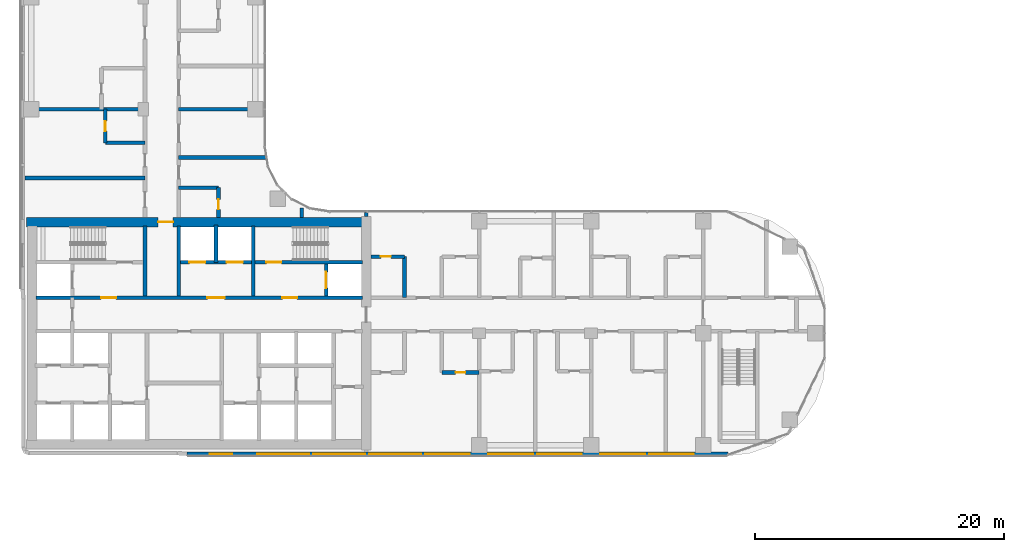
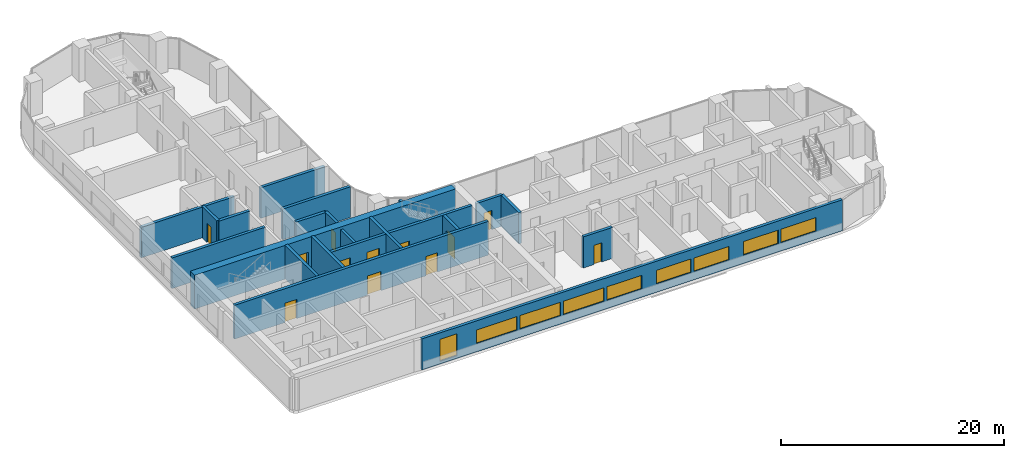
# One storey, part 18 of 35: 22 walls, 12 doors, 9 windows, 21 openings.
"""IFC4 building model written with IfcOpenShell, lengths in metres."""

from ifc_helpers import new_model, si_unit, direction, frame, frame_2d, origin, place, context, subcontext, project, spatial, rectangle, extrude, material, layer, layer_set, type_object, element, fill, save


model = new_model("IFC4")

# Units and contexts
model_context = context("Model", 3, precision=1e-05, world=origin(), true_north=direction((0.0, 1.0)))
body_context = subcontext(model_context, "Body", "Model", "MODEL_VIEW")
ifc_project = project(units=[si_unit("LENGTHUNIT", "METRE"), si_unit("AREAUNIT", "SQUARE_METRE"), si_unit("VOLUMEUNIT", "CUBIC_METRE"), si_unit("PLANEANGLEUNIT", "RADIAN"), si_unit("MASSUNIT", "GRAM", prefix="KILO")], contexts=[model_context])

# Site, building, storey
site_placement = place(None, origin())
site = spatial("IfcSite", under=ifc_project, at=site_placement, CompositionType="ELEMENT")
building_placement = place(site_placement, origin())
building = spatial("IfcBuilding", under=site, at=building_placement, Name="Ogive Portal Towers", CompositionType="ELEMENT")
storey_placement = place(building_placement, frame((0.0, 0.0, 94.5)))
storey = spatial("IfcBuildingStorey", under=building, at=storey_placement, Name="L22", CompositionType="ELEMENT", Elevation=94.5)

# Wall, openings, doors
ifc_material_1 = material(Name="Concrete C60/75", Category="concrete")
ifc_layer_1 = layer(ifc_material_1, 0.300048828125)
ifc_layer_set_1 = layer_set([ifc_layer_1], Name="CORE WALL 300 C60")
wall_type_1 = type_object("IfcWallType", Name="CORE WALL 300 C60", PredefinedType="SHEAR", material=ifc_layer_set_1)
wall_1_placement = place(storey_placement, frame((31.875, 33.35009765625, 0.0), z_axis=(0.0, 0.0, 1.0), x_axis=(1.0, 0.0, 0.0)))
wall_1 = element("IfcWall", 1, at=wall_1_placement, inside=storey, type_object=wall_type_1, Name="Core wall Y2 L22", PredefinedType="SHEAR", context=body_context, shape_type="SweptSolid", body=[
    extrude(rectangle(XDim=26.25, YDim=0.300048828125, at=frame_2d((13.125, 0.0))), origin(), (0.0, 0.0, 1.0), 3.699951171875),
])
opening_1_placement = place(wall_1_placement, frame((13.77490234375, 0.0, 0.0)))
opening_1 = element("IfcOpeningElement", 2, at=opening_1_placement, cuts=wall_1, Name="Opening D07-002", PredefinedType="OPENING", context=body_context, shape_type="SweptSolid", body=[
    extrude(rectangle(XDim=1.39990234375, YDim=2.10009765625, at=frame_2d((0.699951171875, 1.050048828125))), frame((0.0, 0.16015625, 0.0), z_axis=(0.0, -1.0, 0.0), x_axis=(1.0, 0.0, 0.0)), (0.0, 0.0, 1.0), 0.320068359375),
])
opening_2_placement = place(wall_1_placement, frame((5.25, 0.0, 0.0)))
opening_2 = element("IfcOpeningElement", 3, at=opening_2_placement, cuts=wall_1, Name="Opening D07-003", PredefinedType="OPENING", context=body_context, shape_type="SweptSolid", body=[
    extrude(rectangle(XDim=1.199951171875, YDim=2.10009765625, at=frame_2d((0.60009765625, 1.050048828125))), frame((0.0, 0.16015625, 0.0), z_axis=(0.0, -1.0, 0.0), x_axis=(1.0, 0.0, 0.0)), (0.0, 0.0, 1.0), 0.320068359375),
])
opening_3_placement = place(wall_1_placement, frame((19.800048828125, 0.0, 0.0)))
opening_3 = element("IfcOpeningElement", 4, at=opening_3_placement, cuts=wall_1, Name="Opening D07-004", PredefinedType="OPENING", context=body_context, shape_type="SweptSolid", body=[
    extrude(rectangle(XDim=1.199951171875, YDim=2.10009765625, at=frame_2d((0.60009765625, 1.050048828125))), frame((0.0, 0.16015625, 0.0), z_axis=(0.0, -1.0, 0.0), x_axis=(1.0, 0.0, 0.0)), (0.0, 0.0, 1.0), 0.320068359375),
])
ifc_material_2 = material(Name="Steel fire door", Category="steel")
door_type_1 = type_object("IfcDoorType", Name="DT-SWING-1200x2100-FD90S", OperationType="SINGLE_SWING_LEFT", PredefinedType="DOOR", material=ifc_material_2)
door_1_placement = place(opening_2_placement, origin())
door_1 = element("IfcDoor", 5, at=door_1_placement, inside=storey, type_object=door_type_1, Name="Door D07-003", OperationType="SINGLE_SWING_LEFT", OverallHeight=2.10009765625, OverallWidth=1.199951171875, PredefinedType="DOOR", context=body_context, shape_type="SweptSolid", body=[
    extrude(rectangle(XDim=1.199951171875, YDim=2.10009765625, at=frame_2d((0.60009765625, 1.050048828125))), frame((0.0, 0.02490234375, 0.0), z_axis=(0.0, -1.0, 0.0), x_axis=(1.0, 0.0, 0.0)), (0.0, 0.0, 1.0), 0.050048828125),
])
fill(opening_2, door_1)
door_2_placement = place(opening_3_placement, origin())
door_2 = element("IfcDoor", 6, at=door_2_placement, inside=storey, type_object=door_type_1, Name="Door D07-004", OperationType="SINGLE_SWING_RIGHT", OverallHeight=2.10009765625, OverallWidth=1.199951171875, PredefinedType="DOOR", context=body_context, shape_type="SweptSolid", body=[
    extrude(rectangle(XDim=1.199951171875, YDim=2.10009765625, at=frame_2d((0.60009765625, 1.050048828125))), frame((0.0, 0.02490234375, 0.0), z_axis=(0.0, -1.0, 0.0), x_axis=(1.0, 0.0, 0.0)), (0.0, 0.0, 1.0), 0.050048828125),
])
fill(opening_3, door_2)
door_type_2 = type_object("IfcDoorType", Name="DT-SWING-1400x2100-FD90S", OperationType="SINGLE_SWING_LEFT", PredefinedType="DOOR", material=ifc_material_2)
door_3_placement = place(opening_1_placement, origin())
door_3 = element("IfcDoor", 7, at=door_3_placement, inside=storey, type_object=door_type_2, Name="Door D07-002", OperationType="SINGLE_SWING_RIGHT", OverallHeight=2.10009765625, OverallWidth=1.39990234375, PredefinedType="DOOR", context=body_context, shape_type="SweptSolid", body=[
    extrude(rectangle(XDim=1.39990234375, YDim=2.10009765625, at=frame_2d((0.699951171875, 1.050048828125))), frame((0.0, 0.02490234375, 0.0), z_axis=(0.0, -1.0, 0.0), x_axis=(1.0, 0.0, 0.0)), (0.0, 0.0, 1.0), 0.050048828125),
])
fill(opening_1, door_3)

wall_2_placement = place(storey_placement, frame((43.5, 36.199951171875, 0.0), z_axis=(0.0, 0.0, 1.0), x_axis=(1.0, 0.0, 0.0)))
wall_2 = element("IfcWall", 8, at=wall_2_placement, inside=storey, type_object=wall_type_1, Name="Core wall Y3b L22", PredefinedType="SHEAR", context=body_context, shape_type="SweptSolid", body=[
    extrude(rectangle(XDim=14.625, YDim=0.300048828125, at=frame_2d((7.3125, 0.0))), origin(), (0.0, 0.0, 1.0), 3.699951171875),
])
opening_4_placement = place(wall_2_placement, frame((6.89990234375, 0.0, 0.0)))
opening_4 = element("IfcOpeningElement", 9, at=opening_4_placement, cuts=wall_2, Name="Opening D07-006", PredefinedType="OPENING", context=body_context, shape_type="SweptSolid", body=[
    extrude(rectangle(XDim=1.199951171875, YDim=2.10009765625, at=frame_2d((0.60009765625, 1.050048828125))), frame((0.0, 0.16015625, 0.0), z_axis=(0.0, -1.0, 0.0), x_axis=(1.0, 0.0, 0.0)), (0.0, 0.0, 1.0), 0.320068359375),
])
opening_5_placement = place(wall_2_placement, frame((0.699951171875, 0.0, 0.0)))
opening_5 = element("IfcOpeningElement", 10, at=opening_5_placement, cuts=wall_2, Name="Opening D07-017", PredefinedType="OPENING", context=body_context, shape_type="SweptSolid", body=[
    extrude(rectangle(XDim=1.300048828125, YDim=2.39990234375, at=frame_2d((0.64990234375, 1.199951171875))), frame((0.0, 0.16015625, 0.0), z_axis=(0.0, -1.0, 0.0), x_axis=(1.0, 0.0, 0.0)), (0.0, 0.0, 1.0), 0.320068359375),
])
opening_6_placement = place(wall_2_placement, frame((3.699951171875, 0.0, 0.0)))
opening_6 = element("IfcOpeningElement", 11, at=opening_6_placement, cuts=wall_2, Name="Opening D07-018", PredefinedType="OPENING", context=body_context, shape_type="SweptSolid", body=[
    extrude(rectangle(XDim=1.300048828125, YDim=2.39990234375, at=frame_2d((0.64990234375, 1.199951171875))), frame((0.0, 0.16015625, 0.0), z_axis=(0.0, -1.0, 0.0), x_axis=(1.0, 0.0, 0.0)), (0.0, 0.0, 1.0), 0.320068359375),
])
ifc_material_3 = material(Name="Stainless steel", Category="steel")
door_type_3 = type_object("IfcDoorType", Name="DT-LD-1300x2400", OperationType="SLIDING_TO_LEFT", PredefinedType="DOOR", material=ifc_material_3)
door_4_placement = place(opening_5_placement, origin())
door_4 = element("IfcDoor", 12, at=door_4_placement, inside=storey, type_object=door_type_3, Name="Door D07-017", OperationType="SLIDING_TO_LEFT", OverallHeight=2.39990234375, OverallWidth=1.300048828125, PredefinedType="DOOR", context=body_context, shape_type="SweptSolid", body=[
    extrude(rectangle(XDim=1.300048828125, YDim=2.39990234375, at=frame_2d((0.64990234375, 1.199951171875))), frame((0.0, 0.02490234375, 0.0), z_axis=(0.0, -1.0, 0.0), x_axis=(1.0, 0.0, 0.0)), (0.0, 0.0, 1.0), 0.050048828125),
])
fill(opening_5, door_4)
door_5_placement = place(opening_6_placement, origin())
door_5 = element("IfcDoor", 13, at=door_5_placement, inside=storey, type_object=door_type_3, Name="Door D07-018", OperationType="SLIDING_TO_LEFT", OverallHeight=2.39990234375, OverallWidth=1.300048828125, PredefinedType="DOOR", context=body_context, shape_type="SweptSolid", body=[
    extrude(rectangle(XDim=1.300048828125, YDim=2.39990234375, at=frame_2d((0.64990234375, 1.199951171875))), frame((0.0, 0.02490234375, 0.0), z_axis=(0.0, -1.0, 0.0), x_axis=(1.0, 0.0, 0.0)), (0.0, 0.0, 1.0), 0.050048828125),
])
fill(opening_6, door_5)
door_6_placement = place(opening_4_placement, origin())
door_6 = element("IfcDoor", 14, at=door_6_placement, inside=storey, type_object=door_type_1, Name="Door D07-006", OperationType="SINGLE_SWING_LEFT", OverallHeight=2.10009765625, OverallWidth=1.199951171875, PredefinedType="DOOR", context=body_context, shape_type="SweptSolid", body=[
    extrude(rectangle(XDim=1.199951171875, YDim=2.10009765625, at=frame_2d((0.60009765625, 1.050048828125))), frame((0.0, 0.02490234375, 0.0), z_axis=(0.0, -1.0, 0.0), x_axis=(1.0, 0.0, 0.0)), (0.0, 0.0, 1.0), 0.050048828125),
])
fill(opening_4, door_6)

# Walls
for number, where, z_axis, x_axis, name in (
    (15, (40.64990234375, 33.5, 0.0), (0.0, 0.0, 1.0), (0.0, 1.0, 0.0), "Core wall X6 L22"),
    (16, (43.35009765625, 33.5, 0.0), (0.0, 0.0, 1.0), (0.0, 1.0, 0.0), "Core wall X7 L22"),
    (17, (49.35009765625, 33.5, 0.0), (0.0, 0.0, 1.0), (0.0, 1.0, 0.0), "Core wall X9 L22"),
):
    element("IfcWall", number, at=place(storey_placement, frame(where, z_axis=z_axis, x_axis=x_axis)), inside=storey, type_object=wall_type_1, Name=name, PredefinedType="SHEAR", context=body_context, shape_type="SweptSolid", body=[
        extrude(rectangle(XDim=5.625, YDim=0.300048828125, at=frame_2d((2.8125, 0.0))), origin(), (0.0, 0.0, 1.0), 3.699951171875),
    ])

# Wall, opening, door
wall_3_placement = place(storey_placement, frame((55.199951171875, 33.5, 0.0), z_axis=(0.0, 0.0, 1.0), x_axis=(0.0, 1.0, 0.0)))
wall_3 = element("IfcWall", 18, at=wall_3_placement, inside=storey, type_object=wall_type_1, Name="Core wall X10 L22", PredefinedType="SHEAR", context=body_context, shape_type="SweptSolid", body=[
    extrude(rectangle(XDim=2.550048828125, YDim=0.300048828125, at=frame_2d((1.27490234375, 0.0))), origin(), (0.0, 0.0, 1.0), 3.699951171875),
])
opening_7_placement = place(wall_3_placement, frame((0.625, 0.0, 0.0)))
opening_7 = element("IfcOpeningElement", 19, at=opening_7_placement, cuts=wall_3, Name="Opening D07-020", PredefinedType="OPENING", context=body_context, shape_type="SweptSolid", body=[
    extrude(rectangle(XDim=1.300048828125, YDim=2.39990234375, at=frame_2d((0.64990234375, 1.199951171875))), frame((0.0, 0.16015625, 0.0), z_axis=(0.0, -1.0, 0.0), x_axis=(1.0, 0.0, 0.0)), (0.0, 0.0, 1.0), 0.320068359375),
])
door_7_placement = place(opening_7_placement, origin())
door_7 = element("IfcDoor", 20, at=door_7_placement, inside=storey, type_object=door_type_3, Name="Door D07-020", OperationType="SLIDING_TO_LEFT", OverallHeight=2.39990234375, OverallWidth=1.300048828125, PredefinedType="DOOR", context=body_context, shape_type="SweptSolid", body=[
    extrude(rectangle(XDim=1.300048828125, YDim=2.39990234375, at=frame_2d((0.64990234375, 1.199951171875))), frame((0.0, 0.02490234375, 0.0), z_axis=(0.0, -1.0, 0.0), x_axis=(1.0, 0.0, 0.0)), (0.0, 0.0, 1.0), 0.050048828125),
])
fill(opening_7, door_7)

ifc_layer_2 = layer(ifc_material_1, 0.75)
ifc_layer_set_2 = layer_set([ifc_layer_2], Name="CORE WALL 750 C60")
wall_type_2 = type_object("IfcWallType", Name="CORE WALL 750 C60", PredefinedType="SHEAR", material=ifc_layer_set_2)
wall_4_placement = place(storey_placement, frame((31.125, 39.425048828125, 0.0), z_axis=(0.0, 0.0, 1.0), x_axis=(1.0, 0.0, 0.0)))
wall_4 = element("IfcWall", 21, at=wall_4_placement, inside=storey, type_object=wall_type_2, Name="Core wall N L22", PredefinedType="SHEAR", context=body_context, shape_type="SweptSolid", body=[
    extrude(rectangle(XDim=27.0, YDim=0.75, at=frame_2d((13.5, 0.0))), origin(), (0.0, 0.0, 1.0), 3.699951171875),
])
opening_8_placement = place(wall_4_placement, frame((10.574951171875, 0.0, 0.0)))
opening_8 = element("IfcOpeningElement", 22, at=opening_8_placement, cuts=wall_4, Name="Opening D07-012", PredefinedType="OPENING", context=body_context, shape_type="SweptSolid", body=[
    extrude(rectangle(XDim=1.199951171875, YDim=2.10009765625, at=frame_2d((0.60009765625, 1.050048828125))), frame((0.0, 0.385009765625, 0.0), z_axis=(0.0, -1.0, 0.0), x_axis=(1.0, 0.0, 0.0)), (0.0, 0.0, 1.0), 0.77001953125),
])
door_8_placement = place(opening_8_placement, origin())
door_8 = element("IfcDoor", 23, at=door_8_placement, inside=storey, type_object=door_type_1, Name="Door D07-012", OperationType="SINGLE_SWING_RIGHT", OverallHeight=2.10009765625, OverallWidth=1.199951171875, PredefinedType="DOOR", context=body_context, shape_type="SweptSolid", body=[
    extrude(rectangle(XDim=1.199951171875, YDim=2.10009765625, at=frame_2d((0.60009765625, 1.050048828125))), frame((0.0, 0.02490234375, 0.0), z_axis=(0.0, -1.0, 0.0), x_axis=(1.0, 0.0, 0.0)), (0.0, 0.0, 1.0), 0.050048828125),
])
fill(opening_8, door_8)

# Wall, openings, windows
ifc_material_4 = material(Name="Limestone cladding on lightweight block wall", Category="masonry")
ifc_layer_3 = layer(ifc_material_4, 0.300048828125)
ifc_layer_set_3 = layer_set([ifc_layer_3], Name="EXTERNAL WALL 300 STONE")
wall_type_3 = type_object("IfcWallType", Name="EXTERNAL WALL 300 STONE", PredefinedType="SOLIDWALL", material=ifc_layer_set_3)
wall_5_placement = place(storey_placement, frame((44.0107421875, 20.794921875, 0.0), z_axis=(0.0, 0.0, 1.0), x_axis=(1.0, 0.0, 0.0)))
wall_5 = element("IfcWall", 24, at=wall_5_placement, inside=storey, type_object=wall_type_3, Name="A:L22:f05:r0:wall", PredefinedType="SOLIDWALL", context=body_context, shape_type="SweptSolid", body=[
    extrude(rectangle(XDim=43.4755859375, YDim=0.300048828125, at=frame_2d((21.73779296875, 0.0))), origin(), (0.0, 0.0, 1.0), 3.39990234375),
])
opening_9_placement = place(wall_5_placement, frame((1.8447265625, 0.0, 0.300048828125)))
opening_9 = element("IfcOpeningElement", 25, at=opening_9_placement, cuts=wall_5, Name="Opening WN10", PredefinedType="OPENING", context=body_context, shape_type="SweptSolid", body=[
    extrude(rectangle(XDim=1.800048828125, YDim=2.39990234375, at=frame_2d((0.89990234375, 1.199951171875))), frame((0.0, 0.16015625, 0.0), z_axis=(0.0, -1.0, 0.0), x_axis=(1.0, 0.0, 0.0)), (0.0, 0.0, 1.0), 0.320068359375),
])
opening_10_placement = place(wall_5_placement, frame((5.639404296875, 0.0, 0.89990234375)))
opening_10 = element("IfcOpeningElement", 26, at=opening_10_placement, cuts=wall_5, Name="Opening WN11", PredefinedType="OPENING", context=body_context, shape_type="SweptSolid", body=[
    extrude(rectangle(XDim=4.199951171875, YDim=1.5, at=frame_2d((2.10009765625, 0.75))), frame((0.0, 0.16015625, 0.0), z_axis=(0.0, -1.0, 0.0), x_axis=(1.0, 0.0, 0.0)), (0.0, 0.0, 1.0), 0.320068359375),
])
opening_11_placement = place(wall_5_placement, frame((10.139404296875, 0.0, 0.89990234375)))
opening_11 = element("IfcOpeningElement", 27, at=opening_11_placement, cuts=wall_5, Name="Opening WN11", PredefinedType="OPENING", context=body_context, shape_type="SweptSolid", body=[
    extrude(rectangle(XDim=4.199951171875, YDim=1.5, at=frame_2d((2.10009765625, 0.75))), frame((0.0, 0.16015625, 0.0), z_axis=(0.0, -1.0, 0.0), x_axis=(1.0, 0.0, 0.0)), (0.0, 0.0, 1.0), 0.320068359375),
])
opening_12_placement = place(wall_5_placement, frame((14.639404296875, 0.0, 0.89990234375)))
opening_12 = element("IfcOpeningElement", 28, at=opening_12_placement, cuts=wall_5, Name="Opening WN11", PredefinedType="OPENING", context=body_context, shape_type="SweptSolid", body=[
    extrude(rectangle(XDim=4.199951171875, YDim=1.5, at=frame_2d((2.10009765625, 0.75))), frame((0.0, 0.16015625, 0.0), z_axis=(0.0, -1.0, 0.0), x_axis=(1.0, 0.0, 0.0)), (0.0, 0.0, 1.0), 0.320068359375),
])
opening_13_placement = place(wall_5_placement, frame((19.139404296875, 0.0, 0.89990234375)))
opening_13 = element("IfcOpeningElement", 29, at=opening_13_placement, cuts=wall_5, Name="Opening WN12", PredefinedType="OPENING", context=body_context, shape_type="SweptSolid", body=[
    extrude(rectangle(XDim=3.60009765625, YDim=1.5, at=frame_2d((1.800048828125, 0.75))), frame((0.0, 0.16015625, 0.0), z_axis=(0.0, -1.0, 0.0), x_axis=(1.0, 0.0, 0.0)), (0.0, 0.0, 1.0), 0.320068359375),
])
opening_14_placement = place(wall_5_placement, frame((24.2392578125, 0.0, 0.89990234375)))
opening_14 = element("IfcOpeningElement", 30, at=opening_14_placement, cuts=wall_5, Name="Opening WN12", PredefinedType="OPENING", context=body_context, shape_type="SweptSolid", body=[
    extrude(rectangle(XDim=3.60009765625, YDim=1.5, at=frame_2d((1.800048828125, 0.75))), frame((0.0, 0.16015625, 0.0), z_axis=(0.0, -1.0, 0.0), x_axis=(1.0, 0.0, 0.0)), (0.0, 0.0, 1.0), 0.320068359375),
])
opening_15_placement = place(wall_5_placement, frame((28.139404296875, 0.0, 0.89990234375)))
opening_15 = element("IfcOpeningElement", 31, at=opening_15_placement, cuts=wall_5, Name="Opening WN12", PredefinedType="OPENING", context=body_context, shape_type="SweptSolid", body=[
    extrude(rectangle(XDim=3.60009765625, YDim=1.5, at=frame_2d((1.800048828125, 0.75))), frame((0.0, 0.16015625, 0.0), z_axis=(0.0, -1.0, 0.0), x_axis=(1.0, 0.0, 0.0)), (0.0, 0.0, 1.0), 0.320068359375),
])
opening_16_placement = place(wall_5_placement, frame((33.2392578125, 0.0, 0.89990234375)))
opening_16 = element("IfcOpeningElement", 32, at=opening_16_placement, cuts=wall_5, Name="Opening WN12", PredefinedType="OPENING", context=body_context, shape_type="SweptSolid", body=[
    extrude(rectangle(XDim=3.60009765625, YDim=1.5, at=frame_2d((1.800048828125, 0.75))), frame((0.0, 0.16015625, 0.0), z_axis=(0.0, -1.0, 0.0), x_axis=(1.0, 0.0, 0.0)), (0.0, 0.0, 1.0), 0.320068359375),
])
opening_17_placement = place(wall_5_placement, frame((37.139404296875, 0.0, 0.89990234375)))
opening_17 = element("IfcOpeningElement", 33, at=opening_17_placement, cuts=wall_5, Name="Opening WN12", PredefinedType="OPENING", context=body_context, shape_type="SweptSolid", body=[
    extrude(rectangle(XDim=3.60009765625, YDim=1.5, at=frame_2d((1.800048828125, 0.75))), frame((0.0, 0.16015625, 0.0), z_axis=(0.0, -1.0, 0.0), x_axis=(1.0, 0.0, 0.0)), (0.0, 0.0, 1.0), 0.320068359375),
])
ifc_material_5 = material(Name="Glass, clear low-iron insulated glazing", Category="glass")
window_type_1 = type_object("IfcWindowType", Name="WINDOW RIBBON 3600x1500", PartitioningType="TRIPLE_PANEL_VERTICAL", PredefinedType="WINDOW", material=ifc_material_5)
window_1_placement = place(opening_13_placement, origin())
window_1 = element("IfcWindow", 34, at=window_1_placement, inside=storey, type_object=window_type_1, Name="A:L22:f05:r0:w4", OverallHeight=1.5, OverallWidth=3.60009765625, PartitioningType="SINGLE_PANEL", PredefinedType="WINDOW", context=body_context, shape_type="SweptSolid", body=[
    extrude(rectangle(XDim=3.60009765625, YDim=1.5, at=frame_2d((1.800048828125, 0.75))), frame((0.0, 0.030029296875, 0.0), z_axis=(0.0, -1.0, 0.0), x_axis=(1.0, 0.0, 0.0)), (0.0, 0.0, 1.0), 0.06005859375),
])
fill(opening_13, window_1)
window_2_placement = place(opening_14_placement, origin())
window_2 = element("IfcWindow", 35, at=window_2_placement, inside=storey, type_object=window_type_1, Name="A:L22:f05:r0:w5", OverallHeight=1.5, OverallWidth=3.60009765625, PartitioningType="SINGLE_PANEL", PredefinedType="WINDOW", context=body_context, shape_type="SweptSolid", body=[
    extrude(rectangle(XDim=3.60009765625, YDim=1.5, at=frame_2d((1.800048828125, 0.75))), frame((0.0, 0.030029296875, 0.0), z_axis=(0.0, -1.0, 0.0), x_axis=(1.0, 0.0, 0.0)), (0.0, 0.0, 1.0), 0.06005859375),
])
fill(opening_14, window_2)
window_3_placement = place(opening_15_placement, origin())
window_3 = element("IfcWindow", 36, at=window_3_placement, inside=storey, type_object=window_type_1, Name="A:L22:f05:r0:w6", OverallHeight=1.5, OverallWidth=3.60009765625, PartitioningType="SINGLE_PANEL", PredefinedType="WINDOW", context=body_context, shape_type="SweptSolid", body=[
    extrude(rectangle(XDim=3.60009765625, YDim=1.5, at=frame_2d((1.800048828125, 0.75))), frame((0.0, 0.030029296875, 0.0), z_axis=(0.0, -1.0, 0.0), x_axis=(1.0, 0.0, 0.0)), (0.0, 0.0, 1.0), 0.06005859375),
])
fill(opening_15, window_3)
window_4_placement = place(opening_16_placement, origin())
window_4 = element("IfcWindow", 37, at=window_4_placement, inside=storey, type_object=window_type_1, Name="A:L22:f05:r0:w7", OverallHeight=1.5, OverallWidth=3.60009765625, PartitioningType="SINGLE_PANEL", PredefinedType="WINDOW", context=body_context, shape_type="SweptSolid", body=[
    extrude(rectangle(XDim=3.60009765625, YDim=1.5, at=frame_2d((1.800048828125, 0.75))), frame((0.0, 0.030029296875, 0.0), z_axis=(0.0, -1.0, 0.0), x_axis=(1.0, 0.0, 0.0)), (0.0, 0.0, 1.0), 0.06005859375),
])
fill(opening_16, window_4)
window_5_placement = place(opening_17_placement, origin())
window_5 = element("IfcWindow", 38, at=window_5_placement, inside=storey, type_object=window_type_1, Name="A:L22:f05:r0:w8", OverallHeight=1.5, OverallWidth=3.60009765625, PartitioningType="SINGLE_PANEL", PredefinedType="WINDOW", context=body_context, shape_type="SweptSolid", body=[
    extrude(rectangle(XDim=3.60009765625, YDim=1.5, at=frame_2d((1.800048828125, 0.75))), frame((0.0, 0.030029296875, 0.0), z_axis=(0.0, -1.0, 0.0), x_axis=(1.0, 0.0, 0.0)), (0.0, 0.0, 1.0), 0.06005859375),
])
fill(opening_17, window_5)
window_type_2 = type_object("IfcWindowType", Name="WINDOW RIBBON 4200x1500", PartitioningType="TRIPLE_PANEL_VERTICAL", PredefinedType="WINDOW", material=ifc_material_5)
window_6_placement = place(opening_10_placement, origin())
window_6 = element("IfcWindow", 39, at=window_6_placement, inside=storey, type_object=window_type_2, Name="A:L22:f05:r0:w1", OverallHeight=1.5, OverallWidth=4.199951171875, PartitioningType="SINGLE_PANEL", PredefinedType="WINDOW", context=body_context, shape_type="SweptSolid", body=[
    extrude(rectangle(XDim=4.199951171875, YDim=1.5, at=frame_2d((2.10009765625, 0.75))), frame((0.0, 0.030029296875, 0.0), z_axis=(0.0, -1.0, 0.0), x_axis=(1.0, 0.0, 0.0)), (0.0, 0.0, 1.0), 0.06005859375),
])
fill(opening_10, window_6)
window_7_placement = place(opening_11_placement, origin())
window_7 = element("IfcWindow", 40, at=window_7_placement, inside=storey, type_object=window_type_2, Name="A:L22:f05:r0:w2", OverallHeight=1.5, OverallWidth=4.199951171875, PartitioningType="SINGLE_PANEL", PredefinedType="WINDOW", context=body_context, shape_type="SweptSolid", body=[
    extrude(rectangle(XDim=4.199951171875, YDim=1.5, at=frame_2d((2.10009765625, 0.75))), frame((0.0, 0.030029296875, 0.0), z_axis=(0.0, -1.0, 0.0), x_axis=(1.0, 0.0, 0.0)), (0.0, 0.0, 1.0), 0.06005859375),
])
fill(opening_11, window_7)
window_8_placement = place(opening_12_placement, origin())
window_8 = element("IfcWindow", 41, at=window_8_placement, inside=storey, type_object=window_type_2, Name="A:L22:f05:r0:w3", OverallHeight=1.5, OverallWidth=4.199951171875, PartitioningType="SINGLE_PANEL", PredefinedType="WINDOW", context=body_context, shape_type="SweptSolid", body=[
    extrude(rectangle(XDim=4.199951171875, YDim=1.5, at=frame_2d((2.10009765625, 0.75))), frame((0.0, 0.030029296875, 0.0), z_axis=(0.0, -1.0, 0.0), x_axis=(1.0, 0.0, 0.0)), (0.0, 0.0, 1.0), 0.06005859375),
])
fill(opening_12, window_8)
window_type_3 = type_object("IfcWindowType", Name="WINDOW SUITE CORNER 1800x2400", PartitioningType="DOUBLE_PANEL_VERTICAL", PredefinedType="WINDOW", material=ifc_material_5)
window_9_placement = place(opening_9_placement, origin())
window_9 = element("IfcWindow", 42, at=window_9_placement, inside=storey, type_object=window_type_3, Name="A:L22:f05:r0:w0", OverallHeight=2.39990234375, OverallWidth=1.800048828125, PartitioningType="SINGLE_PANEL", PredefinedType="WINDOW", context=body_context, shape_type="SweptSolid", body=[
    extrude(rectangle(XDim=1.800048828125, YDim=2.39990234375, at=frame_2d((0.89990234375, 1.199951171875))), frame((0.0, 0.030029296875, 0.0), z_axis=(0.0, -1.0, 0.0), x_axis=(1.0, 0.0, 0.0)), (0.0, 0.0, 1.0), 0.06005859375),
])
fill(opening_9, window_9)

# Wall
ifc_material_6 = material(Name="Gypsum board partition on steel studs", Category="steel")
ifc_layer_4 = layer(ifc_material_6, 0.300048828125)
ifc_layer_set_4 = layer_set([ifc_layer_4], Name="WT-PART-300-EI 120")
wall_type_4 = type_object("IfcWallType", Name="WT-PART-300-EI 120", PredefinedType="PARTITIONING", material=ifc_layer_set_4)
wall_6_placement = place(storey_placement, frame((58.425048828125, 39.875, 0.0), z_axis=(0.0, 0.0, 1.0), x_axis=(0.0, 1.0, 0.0)))
element("IfcWall", 43, at=wall_6_placement, inside=storey, type_object=wall_type_4, Name="Wall L22:wc02", PredefinedType="PARTITIONING", context=body_context, shape_type="SweptSolid", body=[
    extrude(rectangle(XDim=0.31005859375, YDim=0.300048828125, at=frame_2d((0.155029296875, 0.0))), origin(), (0.0, 0.0, 1.0), 3.39990234375),
])

# Wall, opening, door
ifc_layer_5 = layer(ifc_material_6, 0.300048828125)
ifc_layer_set_5 = layer_set([ifc_layer_5], Name="WT-PART-300-EI 60")
wall_type_5 = type_object("IfcWallType", Name="WT-PART-300-EI 60", PredefinedType="PARTITIONING", material=ifc_layer_set_5)
wall_7_placement = place(storey_placement, frame((64.5, 27.35009765625, 0.0), z_axis=(0.0, 0.0, 1.0), x_axis=(1.0, 0.0, 0.0)))
wall_7 = element("IfcWall", 44, at=wall_7_placement, inside=storey, type_object=wall_type_5, Name="Wall L22:w003", PredefinedType="PARTITIONING", context=body_context, shape_type="SweptSolid", body=[
    extrude(rectangle(XDim=3.0, YDim=0.300048828125, at=frame_2d((1.5, 0.0))), origin(), (0.0, 0.0, 1.0), 3.39990234375),
])
opening_18_placement = place(wall_7_placement, frame((1.10009765625, 0.0, 0.0)))
opening_18 = element("IfcOpeningElement", 45, at=opening_18_placement, cuts=wall_7, Name="Opening D07-030", PredefinedType="OPENING", context=body_context, shape_type="SweptSolid", body=[
    extrude(rectangle(XDim=0.800048828125, YDim=2.10009765625, at=frame_2d((0.39990234375, 1.050048828125))), frame((0.0, 0.16015625, 0.0), z_axis=(0.0, -1.0, 0.0), x_axis=(1.0, 0.0, 0.0)), (0.0, 0.0, 1.0), 0.320068359375),
])
door_type_4 = type_object("IfcDoorType", Name="DT-BATH-800x2100-FD60S", OperationType="SINGLE_SWING_LEFT", PredefinedType="DOOR", material=ifc_material_2)
door_9_placement = place(opening_18_placement, origin())
door_9 = element("IfcDoor", 46, at=door_9_placement, inside=storey, type_object=door_type_4, Name="Door D07-030", OperationType="SINGLE_SWING_RIGHT", OverallHeight=2.10009765625, OverallWidth=0.800048828125, PredefinedType="DOOR", context=body_context, shape_type="SweptSolid", body=[
    extrude(rectangle(XDim=0.800048828125, YDim=2.10009765625, at=frame_2d((0.39990234375, 1.050048828125))), frame((0.0, 0.02490234375, 0.0), z_axis=(0.0, -1.0, 0.0), x_axis=(1.0, 0.0, 0.0)), (0.0, 0.0, 1.0), 0.050048828125),
])
fill(opening_18, door_9)

wall_8_placement = place(storey_placement, frame((58.800048828125, 36.64990234375, 0.0), z_axis=(0.0, 0.0, 1.0), x_axis=(1.0, 0.0, 0.0)))
wall_8 = element("IfcWall", 47, at=wall_8_placement, inside=storey, type_object=wall_type_5, Name="Wall L22:w012", PredefinedType="PARTITIONING", context=body_context, shape_type="SweptSolid", body=[
    extrude(rectangle(XDim=2.699951171875, YDim=0.300048828125, at=frame_2d((1.35009765625, 0.0))), origin(), (0.0, 0.0, 1.0), 3.39990234375),
])
opening_19_placement = place(wall_8_placement, frame((0.800048828125, 0.0, 0.0)))
opening_19 = element("IfcOpeningElement", 48, at=opening_19_placement, cuts=wall_8, Name="Opening D07-026", PredefinedType="OPENING", context=body_context, shape_type="SweptSolid", body=[
    extrude(rectangle(XDim=0.800048828125, YDim=2.10009765625, at=frame_2d((0.39990234375, 1.050048828125))), frame((0.0, 0.16015625, 0.0), z_axis=(0.0, -1.0, 0.0), x_axis=(1.0, 0.0, 0.0)), (0.0, 0.0, 1.0), 0.320068359375),
])
door_10_placement = place(opening_19_placement, origin())
door_10 = element("IfcDoor", 49, at=door_10_placement, inside=storey, type_object=door_type_4, Name="Door D07-026", OperationType="SINGLE_SWING_LEFT", OverallHeight=2.10009765625, OverallWidth=0.800048828125, PredefinedType="DOOR", context=body_context, shape_type="SweptSolid", body=[
    extrude(rectangle(XDim=0.800048828125, YDim=2.10009765625, at=frame_2d((0.39990234375, 1.050048828125))), frame((0.0, 0.02490234375, 0.0), z_axis=(0.0, -1.0, 0.0), x_axis=(1.0, 0.0, 0.0)), (0.0, 0.0, 1.0), 0.050048828125),
])
fill(opening_19, door_10)

# Walls
wall_9_placement = place(storey_placement, frame((43.35009765625, 42.199951171875, 0.0), z_axis=(0.0, 0.0, 1.0), x_axis=(1.0, 0.0, 0.0)))
element("IfcWall", 50, at=wall_9_placement, inside=storey, type_object=wall_type_5, Name="Wall L22:w016", PredefinedType="PARTITIONING", context=body_context, shape_type="SweptSolid", body=[
    extrude(rectangle(XDim=3.199951171875, YDim=0.300048828125, at=frame_2d((1.60009765625, 0.0))), origin(), (0.0, 0.0, 1.0), 3.39990234375),
])
wall_10_placement = place(storey_placement, frame((30.9951171875, 42.969970703125, 0.0), z_axis=(0.0, 0.0, 1.0), x_axis=(1.0, 0.0, 0.0)))
element("IfcWall", 51, at=wall_10_placement, inside=storey, type_object=wall_type_5, Name="Wall L22:w017", PredefinedType="PARTITIONING", context=body_context, shape_type="SweptSolid", body=[
    extrude(rectangle(XDim=9.65478515625, YDim=0.300048828125, at=frame_2d((4.827392578125, 0.0))), origin(), (0.0, 0.0, 1.0), 3.35009765625),
])
wall_11_placement = place(storey_placement, frame((43.35009765625, 44.6298828125, 0.0), z_axis=(0.0, 0.0, 1.0), x_axis=(1.0, 0.0, 0.0)))
element("IfcWall", 52, at=wall_11_placement, inside=storey, type_object=wall_type_5, Name="Wall L22:w018", PredefinedType="PARTITIONING", context=body_context, shape_type="SweptSolid", body=[
    extrude(rectangle(XDim=7.031982421875, YDim=0.300048828125, at=frame_2d((3.51611328125, 0.0))), origin(), (0.0, 0.0, 1.0), 3.35009765625),
])
wall_12_placement = place(storey_placement, frame((37.449951171875, 45.800048828125, 0.0), z_axis=(0.0, 0.0, 1.0), x_axis=(1.0, 0.0, 0.0)))
element("IfcWall", 53, at=wall_12_placement, inside=storey, type_object=wall_type_5, Name="Wall L22:w019", PredefinedType="PARTITIONING", context=body_context, shape_type="SweptSolid", body=[
    extrude(rectangle(XDim=3.199951171875, YDim=0.300048828125, at=frame_2d((1.60009765625, 0.0))), origin(), (0.0, 0.0, 1.0), 3.39990234375),
])
wall_13_placement = place(storey_placement, frame((30.9951171875, 48.5, 0.0), z_axis=(0.0, 0.0, 1.0), x_axis=(1.0, 0.0, 0.0)))
element("IfcWall", 54, at=wall_13_placement, inside=storey, type_object=wall_type_5, Name="Wall L22:w020", PredefinedType="PARTITIONING", context=body_context, shape_type="SweptSolid", body=[
    extrude(rectangle(XDim=9.65478515625, YDim=0.300048828125, at=frame_2d((4.827392578125, 0.0))), origin(), (0.0, 0.0, 1.0), 3.35009765625),
])
wall_14_placement = place(storey_placement, frame((43.35009765625, 48.5, 0.0), z_axis=(0.0, 0.0, 1.0), x_axis=(1.0, 0.0, 0.0)))
element("IfcWall", 55, at=wall_14_placement, inside=storey, type_object=wall_type_5, Name="Wall L22:w021", PredefinedType="PARTITIONING", context=body_context, shape_type="SweptSolid", body=[
    extrude(rectangle(XDim=6.65478515625, YDim=0.300048828125, at=frame_2d((3.327392578125, 0.0))), origin(), (0.0, 0.0, 1.0), 3.35009765625),
])

# Wall, opening, door
wall_15_placement = place(storey_placement, frame((37.449951171875, 45.800048828125, 0.0), z_axis=(0.0, 0.0, 1.0), x_axis=(0.0, 1.0, 0.0)))
wall_15 = element("IfcWall", 56, at=wall_15_placement, inside=storey, type_object=wall_type_5, Name="Wall L22:w034", PredefinedType="PARTITIONING", context=body_context, shape_type="SweptSolid", body=[
    extrude(rectangle(XDim=2.699951171875, YDim=0.300048828125, at=frame_2d((1.35009765625, 0.0))), origin(), (0.0, 0.0, 1.0), 3.39990234375),
])
opening_20_placement = place(wall_15_placement, frame((0.949951171875, 0.0, 0.0)))
opening_20 = element("IfcOpeningElement", 57, at=opening_20_placement, cuts=wall_15, Name="Opening D07-049", PredefinedType="OPENING", context=body_context, shape_type="SweptSolid", body=[
    extrude(rectangle(XDim=0.800048828125, YDim=2.10009765625, at=frame_2d((0.39990234375, 1.050048828125))), frame((0.0, 0.16015625, 0.0), z_axis=(0.0, -1.0, 0.0), x_axis=(1.0, 0.0, 0.0)), (0.0, 0.0, 1.0), 0.320068359375),
])
door_11_placement = place(opening_20_placement, origin())
door_11 = element("IfcDoor", 58, at=door_11_placement, inside=storey, type_object=door_type_4, Name="Door D07-049", OperationType="SINGLE_SWING_LEFT", OverallHeight=2.10009765625, OverallWidth=0.800048828125, PredefinedType="DOOR", context=body_context, shape_type="SweptSolid", body=[
    extrude(rectangle(XDim=0.800048828125, YDim=2.10009765625, at=frame_2d((0.39990234375, 1.050048828125))), frame((0.0, 0.02490234375, 0.0), z_axis=(0.0, -1.0, 0.0), x_axis=(1.0, 0.0, 0.0)), (0.0, 0.0, 1.0), 0.050048828125),
])
fill(opening_20, door_11)

wall_16_placement = place(storey_placement, frame((46.550048828125, 39.800048828125, 0.0), z_axis=(0.0, 0.0, 1.0), x_axis=(0.0, 1.0, 0.0)))
wall_16 = element("IfcWall", 59, at=wall_16_placement, inside=storey, type_object=wall_type_5, Name="Wall L22:w040", PredefinedType="PARTITIONING", context=body_context, shape_type="SweptSolid", body=[
    extrude(rectangle(XDim=2.39990234375, YDim=0.300048828125, at=frame_2d((1.199951171875, 0.0))), origin(), (0.0, 0.0, 1.0), 3.39990234375),
])
opening_21_placement = place(wall_16_placement, frame((0.64990234375, 0.0, 0.0)))
opening_21 = element("IfcOpeningElement", 60, at=opening_21_placement, cuts=wall_16, Name="Opening D07-045", PredefinedType="OPENING", context=body_context, shape_type="SweptSolid", body=[
    extrude(rectangle(XDim=0.800048828125, YDim=2.10009765625, at=frame_2d((0.39990234375, 1.050048828125))), frame((0.0, 0.16015625, 0.0), z_axis=(0.0, -1.0, 0.0), x_axis=(1.0, 0.0, 0.0)), (0.0, 0.0, 1.0), 0.320068359375),
])
door_12_placement = place(opening_21_placement, origin())
door_12 = element("IfcDoor", 61, at=door_12_placement, inside=storey, type_object=door_type_4, Name="Door D07-045", OperationType="SINGLE_SWING_RIGHT", OverallHeight=2.10009765625, OverallWidth=0.800048828125, PredefinedType="DOOR", context=body_context, shape_type="SweptSolid", body=[
    extrude(rectangle(XDim=0.800048828125, YDim=2.10009765625, at=frame_2d((0.39990234375, 1.050048828125))), frame((0.0, 0.02490234375, 0.0), z_axis=(0.0, -1.0, 0.0), x_axis=(1.0, 0.0, 0.0)), (0.0, 0.0, 1.0), 0.050048828125),
])
fill(opening_21, door_12)

# Walls
wall_17_placement = place(storey_placement, frame((53.25, 39.800048828125, 0.0), z_axis=(0.0, 0.0, 1.0), x_axis=(0.0, 1.0, 0.0)))
element("IfcWall", 62, at=wall_17_placement, inside=storey, type_object=wall_type_5, Name="Wall L22:w043", PredefinedType="PARTITIONING", context=body_context, shape_type="SweptSolid", body=[
    extrude(rectangle(XDim=0.75, YDim=0.300048828125, at=frame_2d((0.375, 0.0))), origin(), (0.0, 0.0, 1.0), 3.35009765625),
])
wall_18_placement = place(storey_placement, frame((61.5, 33.35009765625, 0.0), z_axis=(0.0, 0.0, 1.0), x_axis=(0.0, 1.0, 0.0)))
element("IfcWall", 63, at=wall_18_placement, inside=storey, type_object=wall_type_5, Name="Wall L22:w045", PredefinedType="PARTITIONING", context=body_context, shape_type="SweptSolid", body=[
    extrude(rectangle(XDim=3.2998046875, YDim=0.300048828125, at=frame_2d((1.64990234375, 0.0))), origin(), (0.0, 0.0, 1.0), 3.39990234375),
])
ifc_material_7 = material(Name="Concrete C40/50", Category="concrete")
ifc_layer_6 = layer(ifc_material_7, 0.300048828125)
ifc_layer_set_6 = layer_set([ifc_layer_6], Name="WT-SHAFT-300")
wall_type_6 = type_object("IfcWallType", Name="WT-SHAFT-300", PredefinedType="SOLIDWALL", material=ifc_layer_set_6)
wall_19_placement = place(storey_placement, frame((46.35009765625, 36.199951171875, 0.0), z_axis=(0.0, 0.0, 1.0), x_axis=(0.0, 1.0, 0.0)))
element("IfcWall", 64, at=wall_19_placement, inside=storey, type_object=wall_type_6, Name="Wall pw:009:L22", PredefinedType="SOLIDWALL", context=body_context, shape_type="SweptSolid", body=[
    extrude(rectangle(XDim=3.0, YDim=0.300048828125, at=frame_2d((1.5, 0.0))), origin(), (0.0, 0.0, 1.0), 3.39990234375),
])

save(model, "model.ifc")
